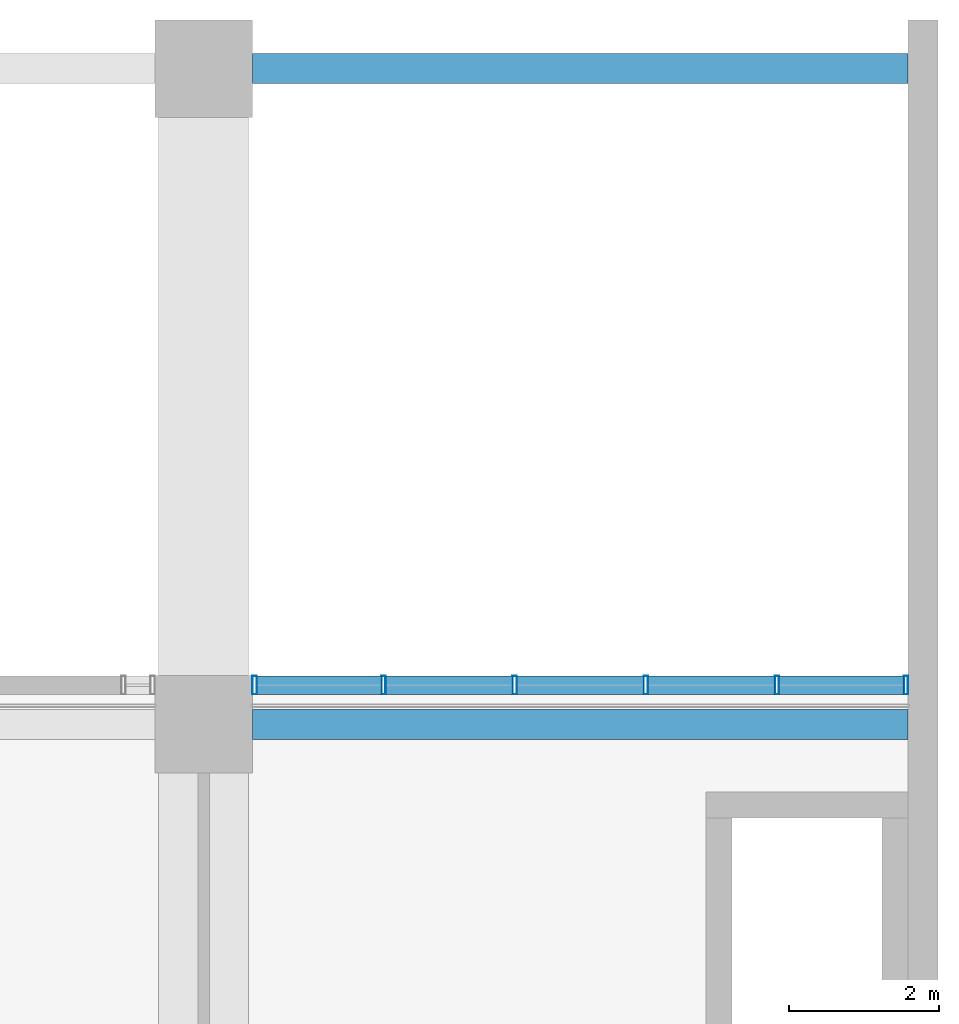
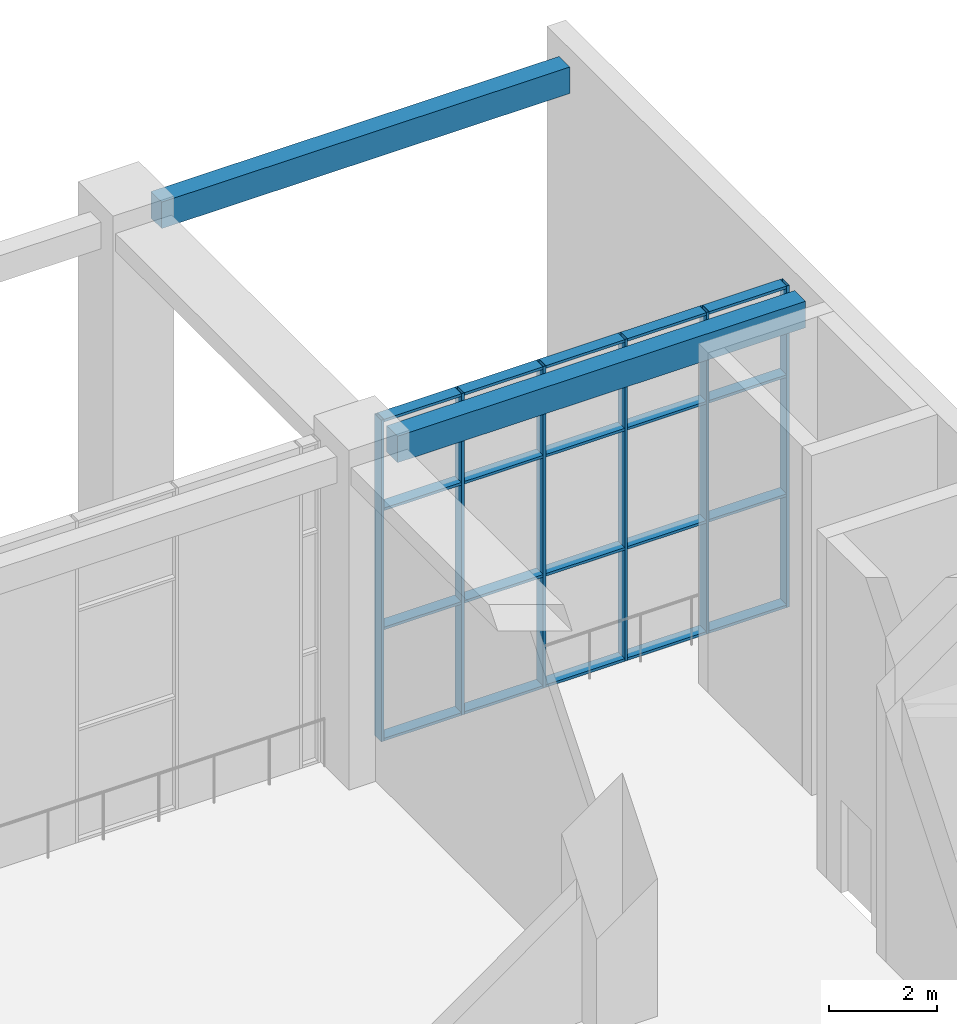
# One storey, part 6 of 33: 26 members, 2 beams, 1 element without a shape of its own.
"""IFC4 building model written with IfcOpenShell, lengths in metres."""

from ifc_helpers import new_model, si_unit, direction, frame, origin, origin_2d, place, context, subcontext, project, spatial, rectangle, hollow_rectangle, extrude, material, layer, layer_set, material_profile, profile_set, type_object, element, aggregate, save


model = new_model("IFC4")

# Units and contexts
model_context = context("Model", 3, precision=1e-05, world=origin(), true_north=direction((0.0, 1.0)))
body_context = subcontext(model_context, "Body", "Model", "MODEL_VIEW")
ifc_project = project(units=[si_unit("LENGTHUNIT", "METRE"), si_unit("AREAUNIT", "SQUARE_METRE"), si_unit("VOLUMEUNIT", "CUBIC_METRE"), si_unit("PLANEANGLEUNIT", "RADIAN"), si_unit("MASSUNIT", "GRAM", prefix="KILO")], contexts=[model_context])

# Site, building, storey
site_placement = place(None, origin())
site = spatial("IfcSite", under=ifc_project, at=site_placement, CompositionType="ELEMENT")
building_placement = place(site_placement, origin())
building = spatial("IfcBuilding", under=site, at=building_placement, Name="Nzadi Deep Aquarium and Research Tower", CompositionType="ELEMENT")
storey_placement = place(building_placement, frame((0.0, 0.0, 6.5)))
storey = spatial("IfcBuildingStorey", under=building, at=storey_placement, Name="L01", CompositionType="ELEMENT", Elevation=6.5)

# Curtain wall, members
ifc_material_1 = material(Name="Aluminium stick frame", Category="aluminium")
ifc_layer = layer(ifc_material_1, 0.25)
ifc_layer_set = layer_set([ifc_layer], Name="Aluminium stick frame")
curtain_wall_type = type_object("IfcCurtainWallType", Name="Curtain wall Stick 250", PredefinedType="NOTDEFINED", material=ifc_layer_set)
curtain_wall_placement = place(storey_placement, origin())
curtain_wall = element("IfcCurtainWall", 1, at=curtain_wall_placement, inside=storey, type_object=curtain_wall_type, Name="Lobby stick glazing L01", PredefinedType="NOTDEFINED")
ifc_material_2 = material(Name="Aluminium stick frame", Category="aluminium")
ifc_material_profile_1 = material_profile(ifc_material_2, hollow_rectangle(XDim=0.25, YDim=0.06005859375, WallThickness=0.0048828125, at=origin_2d()))
ifc_profile_set_1 = profile_set([ifc_material_profile_1], Name="Aluminium stick frame")
member_type_1 = type_object("IfcMemberType", Name="Mullion 60x250 Stick", PredefinedType="MULLION", material=ifc_profile_set_1)
member_1_placement = place(storey_placement, frame((48.679931640625, 132.125, 0.0), z_axis=(0.0, 0.0, 1.0), x_axis=(0.0, 1.0, 0.0)))
member_1 = element("IfcMember", 2, at=member_1_placement, type_object=member_type_1, Name="CW248 mullion 1", PredefinedType="MULLION", context=body_context, shape_type="SweptSolid", body=[
    extrude(hollow_rectangle(XDim=0.25, YDim=0.06005859375, WallThickness=0.0048828125, at=origin_2d()), origin(), (0.0, 0.0, 1.0), 7.2900390625),
])
member_2_placement = place(storey_placement, frame((50.39990234375, 132.125, 0.0), z_axis=(0.0, 0.0, 1.0), x_axis=(0.0, 1.0, 0.0)))
member_2 = element("IfcMember", 3, at=member_2_placement, type_object=member_type_1, Name="CW248 mullion 2", PredefinedType="MULLION", context=body_context, shape_type="SweptSolid", body=[
    extrude(hollow_rectangle(XDim=0.25, YDim=0.06005859375, WallThickness=0.0048828125, at=origin_2d()), origin(), (0.0, 0.0, 1.0), 7.2900390625),
])
member_3_placement = place(storey_placement, frame((52.14990234375, 132.125, 0.0), z_axis=(0.0, 0.0, 1.0), x_axis=(0.0, 1.0, 0.0)))
member_3 = element("IfcMember", 4, at=member_3_placement, type_object=member_type_1, Name="CW248 mullion 3", PredefinedType="MULLION", context=body_context, shape_type="SweptSolid", body=[
    extrude(hollow_rectangle(XDim=0.25, YDim=0.06005859375, WallThickness=0.0048828125, at=origin_2d()), origin(), (0.0, 0.0, 1.0), 7.2900390625),
])
member_4_placement = place(storey_placement, frame((53.89990234375, 132.125, 0.0), z_axis=(0.0, 0.0, 1.0), x_axis=(0.0, 1.0, 0.0)))
member_4 = element("IfcMember", 5, at=member_4_placement, type_object=member_type_1, Name="CW248 mullion 4", PredefinedType="MULLION", context=body_context, shape_type="SweptSolid", body=[
    extrude(hollow_rectangle(XDim=0.25, YDim=0.06005859375, WallThickness=0.0048828125, at=origin_2d()), origin(), (0.0, 0.0, 1.0), 7.2900390625),
])
member_5_placement = place(storey_placement, frame((55.64990234375, 132.125, 0.0), z_axis=(0.0, 0.0, 1.0), x_axis=(0.0, 1.0, 0.0)))
member_5 = element("IfcMember", 6, at=member_5_placement, type_object=member_type_1, Name="CW248 mullion 5", PredefinedType="MULLION", context=body_context, shape_type="SweptSolid", body=[
    extrude(hollow_rectangle(XDim=0.25, YDim=0.06005859375, WallThickness=0.0048828125, at=origin_2d()), origin(), (0.0, 0.0, 1.0), 7.2900390625),
])
member_6_placement = place(storey_placement, frame((57.3701171875, 132.125, 0.0), z_axis=(0.0, 0.0, 1.0), x_axis=(0.0, 1.0, 0.0)))
member_6 = element("IfcMember", 7, at=member_6_placement, type_object=member_type_1, Name="CW248 mullion 6", PredefinedType="MULLION", context=body_context, shape_type="SweptSolid", body=[
    extrude(hollow_rectangle(XDim=0.25, YDim=0.06005859375, WallThickness=0.0048828125, at=origin_2d()), origin(), (0.0, 0.0, 1.0), 7.2900390625),
])

# Beams
ifc_material_3 = material(Name="Concrete C35/45", Category="concrete")
ifc_material_profile_2 = material_profile(ifc_material_3, rectangle(XDim=0.39990234375, YDim=0.60009765625, at=origin_2d()))
ifc_profile_set_2 = profile_set([ifc_material_profile_2], Name="Concrete C35/45")
beam_type = type_object("IfcBeamType", Name="RC 400x600", PredefinedType="BEAM", material=ifc_profile_set_2)
for number, where, z_axis, x_axis, name in (
    (8, (48.64990234375, 131.60009765625, 6.989990234375), (1.0, 0.0, 0.0), (0.0, 1.0, 0.0), "B-Z3-L01-L17-6"),
    (9, (48.64990234375, 140.35009765625, 6.989990234375), (1.0, 0.0, 0.0), (0.0, 1.0, 0.0), "B-Z3-L01-L18-6"),
):
    element("IfcBeam", number, at=place(storey_placement, frame(where, z_axis=z_axis, x_axis=x_axis)), inside=storey, type_object=beam_type, Name=name, PredefinedType="BEAM", context=body_context, shape_type="SweptSolid", body=[
        extrude(rectangle(XDim=0.39990234375, YDim=0.60009765625, at=origin_2d()), origin(), (0.0, 0.0, 1.0), 8.75),
    ])

# Member
ifc_material_4 = material(Name="Aluminium stick frame", Category="aluminium")
ifc_material_profile_3 = material_profile(ifc_material_4, hollow_rectangle(XDim=0.25, YDim=0.06005859375, WallThickness=0.0048828125, at=origin_2d()))
ifc_profile_set_3 = profile_set([ifc_material_profile_3], Name="Aluminium stick frame")
member_type_2 = type_object("IfcMemberType", Name="Transom 60x250 Stick", PredefinedType="MULLION", material=ifc_profile_set_3)
member_7_placement = place(storey_placement, frame((48.7099609375, 132.125, 0.030029296875), z_axis=(1.0, 0.0, 0.0), x_axis=(0.0, 1.0, 0.0)))
member_7 = element("IfcMember", 10, at=member_7_placement, type_object=member_type_2, Name="CW248 transom 1.1", PredefinedType="MULLION", context=body_context, shape_type="SweptSolid", body=[
    extrude(hollow_rectangle(XDim=0.25, YDim=0.06005859375, WallThickness=0.0048828125, at=origin_2d()), origin(), (0.0, 0.0, 1.0), 1.66015625),
])

member_8_placement = place(storey_placement, frame((48.7099609375, 132.125, 2.550048828125), z_axis=(1.0, 0.0, 0.0), x_axis=(0.0, 1.0, 0.0)))
member_8 = element("IfcMember", 11, at=member_8_placement, type_object=member_type_2, Name="CW248 transom 1.2", PredefinedType="MULLION", context=body_context, shape_type="SweptSolid", body=[
    extrude(hollow_rectangle(XDim=0.25, YDim=0.06005859375, WallThickness=0.0048828125, at=origin_2d()), origin(), (0.0, 0.0, 1.0), 1.66015625),
])

member_9_placement = place(storey_placement, frame((48.7099609375, 132.125, 5.2490234375), z_axis=(1.0, 0.0, 0.0), x_axis=(0.0, 1.0, 0.0)))
member_9 = element("IfcMember", 12, at=member_9_placement, type_object=member_type_2, Name="CW248 transom 1.3", PredefinedType="MULLION", context=body_context, shape_type="SweptSolid", body=[
    extrude(hollow_rectangle(XDim=0.25, YDim=0.06005859375, WallThickness=0.0048828125, at=origin_2d()), origin(), (0.0, 0.0, 1.0), 1.66015625),
])

member_10_placement = place(storey_placement, frame((48.7099609375, 132.125, 7.260009765625), z_axis=(1.0, 0.0, 0.0), x_axis=(0.0, 1.0, 0.0)))
member_10 = element("IfcMember", 13, at=member_10_placement, type_object=member_type_2, Name="CW248 transom 1.4", PredefinedType="MULLION", context=body_context, shape_type="SweptSolid", body=[
    extrude(hollow_rectangle(XDim=0.25, YDim=0.06005859375, WallThickness=0.0048828125, at=origin_2d()), origin(), (0.0, 0.0, 1.0), 1.66015625),
])

member_11_placement = place(storey_placement, frame((50.429931640625, 132.125, 0.030029296875), z_axis=(1.0, 0.0, 0.0), x_axis=(0.0, 1.0, 0.0)))
member_11 = element("IfcMember", 14, at=member_11_placement, type_object=member_type_2, Name="CW248 transom 2.1", PredefinedType="MULLION", context=body_context, shape_type="SweptSolid", body=[
    extrude(hollow_rectangle(XDim=0.25, YDim=0.06005859375, WallThickness=0.0048828125, at=origin_2d()), origin(), (0.0, 0.0, 1.0), 1.690185546875),
])

member_12_placement = place(storey_placement, frame((50.429931640625, 132.125, 2.550048828125), z_axis=(1.0, 0.0, 0.0), x_axis=(0.0, 1.0, 0.0)))
member_12 = element("IfcMember", 15, at=member_12_placement, type_object=member_type_2, Name="CW248 transom 2.2", PredefinedType="MULLION", context=body_context, shape_type="SweptSolid", body=[
    extrude(hollow_rectangle(XDim=0.25, YDim=0.06005859375, WallThickness=0.0048828125, at=origin_2d()), origin(), (0.0, 0.0, 1.0), 1.690185546875),
])

member_13_placement = place(storey_placement, frame((50.429931640625, 132.125, 5.2490234375), z_axis=(1.0, 0.0, 0.0), x_axis=(0.0, 1.0, 0.0)))
member_13 = element("IfcMember", 16, at=member_13_placement, type_object=member_type_2, Name="CW248 transom 2.3", PredefinedType="MULLION", context=body_context, shape_type="SweptSolid", body=[
    extrude(hollow_rectangle(XDim=0.25, YDim=0.06005859375, WallThickness=0.0048828125, at=origin_2d()), origin(), (0.0, 0.0, 1.0), 1.690185546875),
])

member_14_placement = place(storey_placement, frame((50.429931640625, 132.125, 7.260009765625), z_axis=(1.0, 0.0, 0.0), x_axis=(0.0, 1.0, 0.0)))
member_14 = element("IfcMember", 17, at=member_14_placement, type_object=member_type_2, Name="CW248 transom 2.4", PredefinedType="MULLION", context=body_context, shape_type="SweptSolid", body=[
    extrude(hollow_rectangle(XDim=0.25, YDim=0.06005859375, WallThickness=0.0048828125, at=origin_2d()), origin(), (0.0, 0.0, 1.0), 1.690185546875),
])

member_15_placement = place(storey_placement, frame((52.179931640625, 132.125, 0.030029296875), z_axis=(1.0, 0.0, 0.0), x_axis=(0.0, 1.0, 0.0)))
member_15 = element("IfcMember", 18, at=member_15_placement, type_object=member_type_2, Name="CW248 transom 3.1", PredefinedType="MULLION", context=body_context, shape_type="SweptSolid", body=[
    extrude(hollow_rectangle(XDim=0.25, YDim=0.06005859375, WallThickness=0.0048828125, at=origin_2d()), origin(), (0.0, 0.0, 1.0), 1.690185546875),
])

member_16_placement = place(storey_placement, frame((52.179931640625, 132.125, 2.550048828125), z_axis=(1.0, 0.0, 0.0), x_axis=(0.0, 1.0, 0.0)))
member_16 = element("IfcMember", 19, at=member_16_placement, type_object=member_type_2, Name="CW248 transom 3.2", PredefinedType="MULLION", context=body_context, shape_type="SweptSolid", body=[
    extrude(hollow_rectangle(XDim=0.25, YDim=0.06005859375, WallThickness=0.0048828125, at=origin_2d()), origin(), (0.0, 0.0, 1.0), 1.690185546875),
])

member_17_placement = place(storey_placement, frame((52.179931640625, 132.125, 5.2490234375), z_axis=(1.0, 0.0, 0.0), x_axis=(0.0, 1.0, 0.0)))
member_17 = element("IfcMember", 20, at=member_17_placement, type_object=member_type_2, Name="CW248 transom 3.3", PredefinedType="MULLION", context=body_context, shape_type="SweptSolid", body=[
    extrude(hollow_rectangle(XDim=0.25, YDim=0.06005859375, WallThickness=0.0048828125, at=origin_2d()), origin(), (0.0, 0.0, 1.0), 1.690185546875),
])

member_18_placement = place(storey_placement, frame((52.179931640625, 132.125, 7.260009765625), z_axis=(1.0, 0.0, 0.0), x_axis=(0.0, 1.0, 0.0)))
member_18 = element("IfcMember", 21, at=member_18_placement, type_object=member_type_2, Name="CW248 transom 3.4", PredefinedType="MULLION", context=body_context, shape_type="SweptSolid", body=[
    extrude(hollow_rectangle(XDim=0.25, YDim=0.06005859375, WallThickness=0.0048828125, at=origin_2d()), origin(), (0.0, 0.0, 1.0), 1.690185546875),
])

member_19_placement = place(storey_placement, frame((53.929931640625, 132.125, 0.030029296875), z_axis=(1.0, 0.0, 0.0), x_axis=(0.0, 1.0, 0.0)))
member_19 = element("IfcMember", 22, at=member_19_placement, type_object=member_type_2, Name="CW248 transom 4.1", PredefinedType="MULLION", context=body_context, shape_type="SweptSolid", body=[
    extrude(hollow_rectangle(XDim=0.25, YDim=0.06005859375, WallThickness=0.0048828125, at=origin_2d()), origin(), (0.0, 0.0, 1.0), 1.690185546875),
])

member_20_placement = place(storey_placement, frame((53.929931640625, 132.125, 2.550048828125), z_axis=(1.0, 0.0, 0.0), x_axis=(0.0, 1.0, 0.0)))
member_20 = element("IfcMember", 23, at=member_20_placement, type_object=member_type_2, Name="CW248 transom 4.2", PredefinedType="MULLION", context=body_context, shape_type="SweptSolid", body=[
    extrude(hollow_rectangle(XDim=0.25, YDim=0.06005859375, WallThickness=0.0048828125, at=origin_2d()), origin(), (0.0, 0.0, 1.0), 1.690185546875),
])

member_21_placement = place(storey_placement, frame((53.929931640625, 132.125, 5.2490234375), z_axis=(1.0, 0.0, 0.0), x_axis=(0.0, 1.0, 0.0)))
member_21 = element("IfcMember", 24, at=member_21_placement, type_object=member_type_2, Name="CW248 transom 4.3", PredefinedType="MULLION", context=body_context, shape_type="SweptSolid", body=[
    extrude(hollow_rectangle(XDim=0.25, YDim=0.06005859375, WallThickness=0.0048828125, at=origin_2d()), origin(), (0.0, 0.0, 1.0), 1.690185546875),
])

member_22_placement = place(storey_placement, frame((53.929931640625, 132.125, 7.260009765625), z_axis=(1.0, 0.0, 0.0), x_axis=(0.0, 1.0, 0.0)))
member_22 = element("IfcMember", 25, at=member_22_placement, type_object=member_type_2, Name="CW248 transom 4.4", PredefinedType="MULLION", context=body_context, shape_type="SweptSolid", body=[
    extrude(hollow_rectangle(XDim=0.25, YDim=0.06005859375, WallThickness=0.0048828125, at=origin_2d()), origin(), (0.0, 0.0, 1.0), 1.690185546875),
])

member_23_placement = place(storey_placement, frame((55.679931640625, 132.125, 0.030029296875), z_axis=(1.0, 0.0, 0.0), x_axis=(0.0, 1.0, 0.0)))
member_23 = element("IfcMember", 26, at=member_23_placement, type_object=member_type_2, Name="CW248 transom 5.1", PredefinedType="MULLION", context=body_context, shape_type="SweptSolid", body=[
    extrude(hollow_rectangle(XDim=0.25, YDim=0.06005859375, WallThickness=0.0048828125, at=origin_2d()), origin(), (0.0, 0.0, 1.0), 1.66015625),
])

member_24_placement = place(storey_placement, frame((55.679931640625, 132.125, 2.550048828125), z_axis=(1.0, 0.0, 0.0), x_axis=(0.0, 1.0, 0.0)))
member_24 = element("IfcMember", 27, at=member_24_placement, type_object=member_type_2, Name="CW248 transom 5.2", PredefinedType="MULLION", context=body_context, shape_type="SweptSolid", body=[
    extrude(hollow_rectangle(XDim=0.25, YDim=0.06005859375, WallThickness=0.0048828125, at=origin_2d()), origin(), (0.0, 0.0, 1.0), 1.66015625),
])

member_25_placement = place(storey_placement, frame((55.679931640625, 132.125, 5.2490234375), z_axis=(1.0, 0.0, 0.0), x_axis=(0.0, 1.0, 0.0)))
member_25 = element("IfcMember", 28, at=member_25_placement, type_object=member_type_2, Name="CW248 transom 5.3", PredefinedType="MULLION", context=body_context, shape_type="SweptSolid", body=[
    extrude(hollow_rectangle(XDim=0.25, YDim=0.06005859375, WallThickness=0.0048828125, at=origin_2d()), origin(), (0.0, 0.0, 1.0), 1.66015625),
])

member_26_placement = place(storey_placement, frame((55.679931640625, 132.125, 7.260009765625), z_axis=(1.0, 0.0, 0.0), x_axis=(0.0, 1.0, 0.0)))
member_26 = element("IfcMember", 29, at=member_26_placement, type_object=member_type_2, Name="CW248 transom 5.4", PredefinedType="MULLION", context=body_context, shape_type="SweptSolid", body=[
    extrude(hollow_rectangle(XDim=0.25, YDim=0.06005859375, WallThickness=0.0048828125, at=origin_2d()), origin(), (0.0, 0.0, 1.0), 1.66015625),
])

aggregate(curtain_wall, [member_1, member_2, member_3, member_4, member_5, member_6, member_7, member_8, member_9, member_10, member_11, member_12, member_13, member_14, member_15, member_16, member_17, member_18, member_19, member_20, member_21, member_22, member_23, member_24, member_25, member_26])

save(model, "model.ifc")
